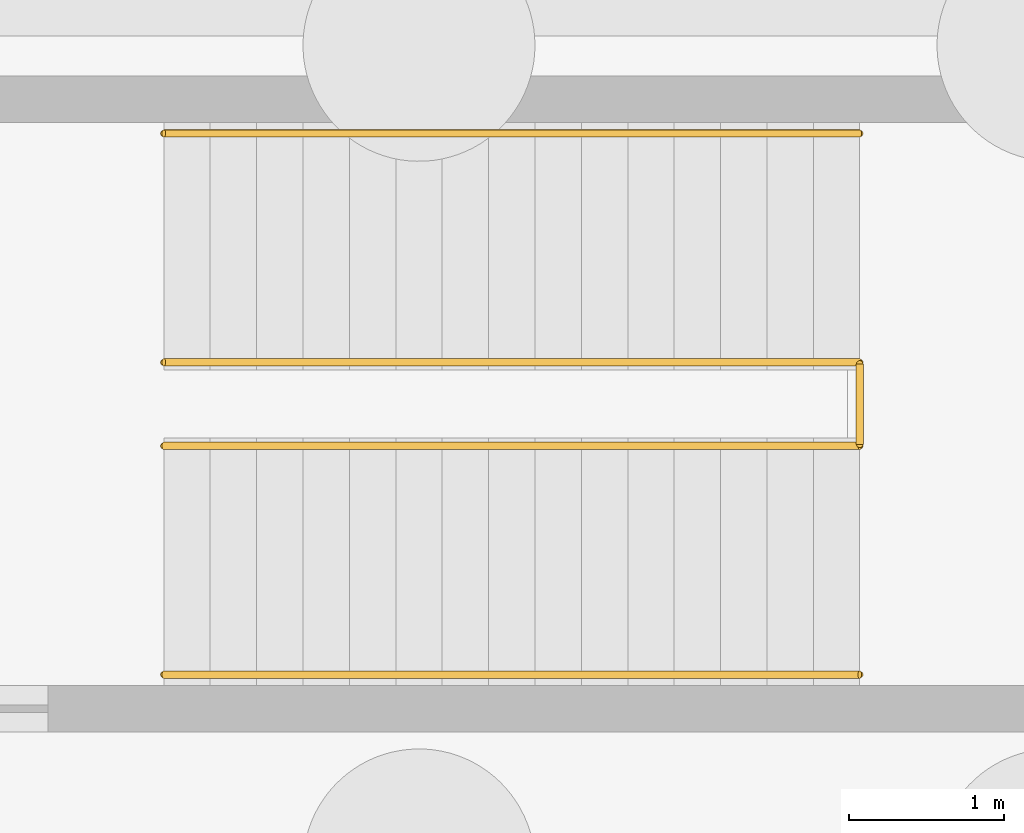
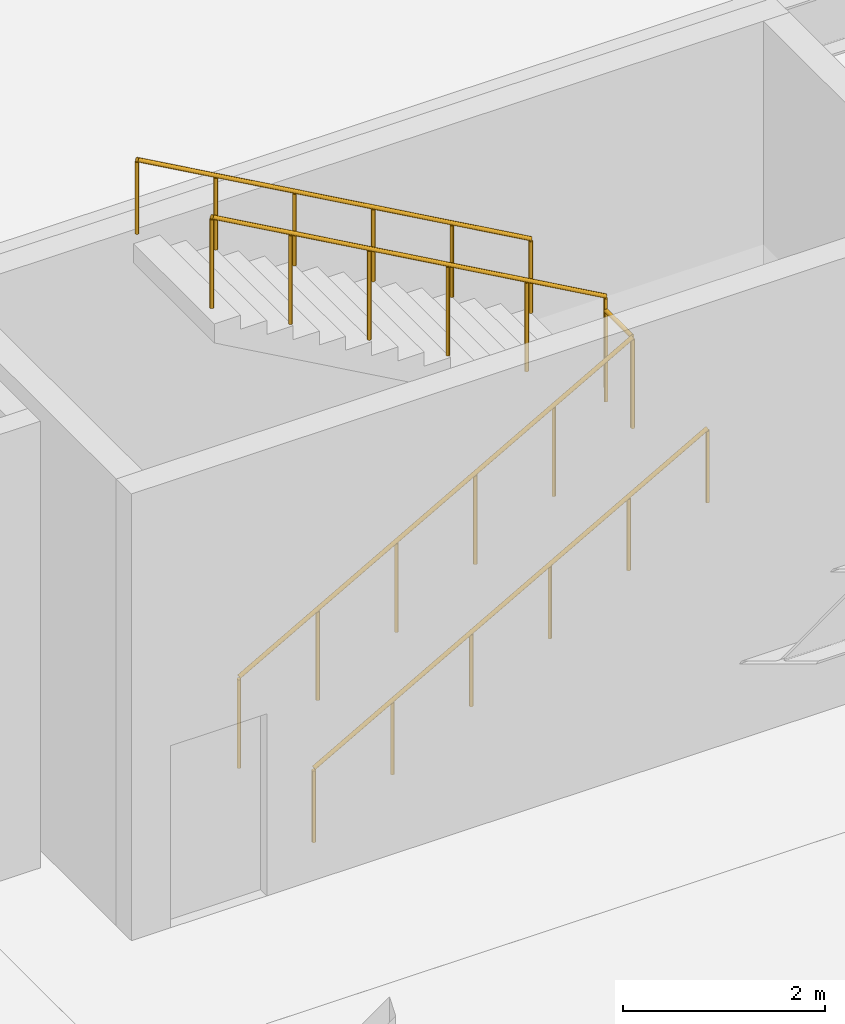
# One storey, part 44 of 47: 5 railings.
"""IFC4 building model written with IfcOpenShell, lengths in metres."""

from ifc_helpers import new_model, si_unit, direction, frame, origin, origin_2d, place, context, subcontext, project, spatial, circle, extrude, material, type_object, element, save


model = new_model("IFC4")

# Units and contexts
model_context = context("Model", 3, precision=1e-05, world=origin(), true_north=direction((0.0, 1.0)))
body_context = subcontext(model_context, "Body", "Model", "MODEL_VIEW")
ifc_project = project(units=[si_unit("LENGTHUNIT", "METRE"), si_unit("AREAUNIT", "SQUARE_METRE"), si_unit("VOLUMEUNIT", "CUBIC_METRE"), si_unit("PLANEANGLEUNIT", "RADIAN"), si_unit("MASSUNIT", "GRAM", prefix="KILO")], contexts=[model_context])

# Site, building, storey
site_placement = place(None, origin())
site = spatial("IfcSite", under=ifc_project, at=site_placement, CompositionType="ELEMENT")
building_placement = place(site_placement, origin())
building = spatial("IfcBuilding", under=site, at=building_placement, Name="Kaldorvane Square Convention Centre", CompositionType="ELEMENT")
storey_placement = place(building_placement, frame((0.0, 0.0, -5.399993896484375)))
storey = spatial("IfcBuildingStorey", under=building, at=storey_placement, Name="B01", CompositionType="ELEMENT", Elevation=-5.399993896484375)

# Railings
ifc_material = material(Name="Architectural Painted Steel", Category="steel")
railing_type_1 = type_object("IfcRailingType", Name="RL-GUARD-1120", PredefinedType="BALUSTRADE", material=ifc_material)
railing_1_placement = place(storey_placement, frame((72.39999389648438, 102.16999816894531, 2.6999969482421875)))
element("IfcRailing", 1, at=railing_1_placement, inside=storey, type_object=railing_type_1, Name="Tower Exit Stair T2 Half-Landing Guard (B01)", PredefinedType="BALUSTRADE", context=body_context, shape_type="SweptSolid", body=[
    extrude(circle(Radius=0.0240020751953125, at=origin_2d()), frame((0.0, 0.0, 1.0959930419921875), z_axis=(0.0, 1.0, 0.0), x_axis=(-1.0, 0.0, 0.0)), (0.0, 0.0, 1.0), 0.5200042724609375),
    extrude(circle(Radius=0.02099609375, at=origin_2d()), origin(), (0.0, 0.0, 1.0), 1.071990966796875),
    extrude(circle(Radius=0.02099609375, at=origin_2d()), frame((0.0, 0.5200042724609375, 0.0)), (0.0, 0.0, 1.0), 1.071990966796875),
])
railing_2_placement = place(storey_placement, frame((67.89999389648438, 102.16000366210938, 0.1687469482421875)))
element("IfcRailing", 2, at=railing_2_placement, inside=storey, type_object=railing_type_1, Name="Tower Exit Stair T2 Flight 1 Guard (B01)", PredefinedType="BALUSTRADE", context=body_context, shape_type="SweptSolid", body=[
    extrude(circle(Radius=0.0240020751953125, at=origin_2d()), frame((0.0, 0.0, 1.0959930419921875), z_axis=(0.871575537125, 0.0, 0.490261239633), x_axis=(0.0, 1.0, 0.0)), (0.0, 0.0, 1.0), 5.1630706787109375),
    extrude(circle(Radius=0.02099609375, at=origin_2d()), origin(), (0.0, 0.0, 1.0), 1.071990966796875),
    extrude(circle(Radius=0.02099609375, at=origin_2d()), frame((0.899993896484375, 0.0, 0.506256103515625)), (0.0, 0.0, 1.0), 1.071990966796875),
    extrude(circle(Radius=0.02099609375, at=origin_2d()), frame((1.8000030517578125, 0.0, 1.0124969482421875)), (0.0, 0.0, 1.0), 1.071990966796875),
    extrude(circle(Radius=0.02099609375, at=origin_2d()), frame((2.6999969482421875, 0.0, 1.5187530517578125)), (0.0, 0.0, 1.0), 1.071990966796875),
    extrude(circle(Radius=0.02099609375, at=origin_2d()), frame((3.600006103515625, 0.0, 2.024993896484375)), (0.0, 0.0, 1.0), 1.071990966796875),
    extrude(circle(Radius=0.02099609375, at=origin_2d()), frame((4.5, 0.0, 2.53125)), (0.0, 0.0, 1.0), 1.071990966796875),
])
railing_3_placement = place(storey_placement, frame((72.39999389648438, 102.69999694824219, 2.868743896484375)))
element("IfcRailing", 3, at=railing_3_placement, inside=storey, type_object=railing_type_1, Name="Tower Exit Stair T2 Flight 2 Guard (B01)", PredefinedType="BALUSTRADE", context=body_context, shape_type="SweptSolid", body=[
    extrude(circle(Radius=0.0240020751953125, at=origin_2d()), frame((0.0, 0.0, 1.0959930419921875), z_axis=(-0.871575537125, 0.0, 0.490261239633), x_axis=(0.0, -1.0, 0.0)), (0.0, 0.0, 1.0), 5.1630706787109375),
    extrude(circle(Radius=0.02099609375, at=origin_2d()), origin(), (0.0, 0.0, 1.0), 1.071990966796875),
    extrude(circle(Radius=0.02099609375, at=origin_2d()), frame((-0.899993896484375, 0.0, 0.506256103515625)), (0.0, 0.0, 1.0), 1.071990966796875),
    extrude(circle(Radius=0.02099609375, at=origin_2d()), frame((-1.8000030517578125, 0.0, 1.0124969482421875)), (0.0, 0.0, 1.0), 1.071990966796875),
    extrude(circle(Radius=0.02099609375, at=origin_2d()), frame((-2.6999969482421875, 0.0, 1.5187530517578125)), (0.0, 0.0, 1.0), 1.071990966796875),
    extrude(circle(Radius=0.02099609375, at=origin_2d()), frame((-3.600006103515625, 0.0, 2.024993896484375)), (0.0, 0.0, 1.0), 1.071990966796875),
    extrude(circle(Radius=0.02099609375, at=origin_2d()), frame((-4.5, 0.0, 2.53125)), (0.0, 0.0, 1.0), 1.071990966796875),
])
railing_type_2 = type_object("IfcRailingType", Name="RL-HAND-915", PredefinedType="HANDRAIL", material=ifc_material)
railing_4_placement = place(storey_placement, frame((67.89999389648438, 100.67999267578125, 0.1687469482421875)))
element("IfcRailing", 4, at=railing_4_placement, inside=storey, type_object=railing_type_2, Name="Tower Exit Stair T2 Wall Handrail 1 (B01)", PredefinedType="HANDRAIL", context=body_context, shape_type="SweptSolid", body=[
    extrude(circle(Radius=0.0240020751953125, at=origin_2d()), frame((0.0, 0.0, 0.8909912109375), z_axis=(0.871575537125, 0.0, 0.490261239633), x_axis=(0.0, 1.0, 0.0)), (0.0, 0.0, 1.0), 5.1630706787109375),
    extrude(circle(Radius=0.02099609375, at=origin_2d()), origin(), (0.0, 0.0, 1.0), 0.8669891357421875),
    extrude(circle(Radius=0.02099609375, at=origin_2d()), frame((0.899993896484375, 0.0, 0.506256103515625)), (0.0, 0.0, 1.0), 0.8669891357421875),
    extrude(circle(Radius=0.02099609375, at=origin_2d()), frame((1.8000030517578125, 0.0, 1.0124969482421875)), (0.0, 0.0, 1.0), 0.8669891357421875),
    extrude(circle(Radius=0.02099609375, at=origin_2d()), frame((2.6999969482421875, 0.0, 1.5187530517578125)), (0.0, 0.0, 1.0), 0.8669891357421875),
    extrude(circle(Radius=0.02099609375, at=origin_2d()), frame((3.600006103515625, 0.0, 2.024993896484375)), (0.0, 0.0, 1.0), 0.8669891357421875),
    extrude(circle(Radius=0.02099609375, at=origin_2d()), frame((4.5, 0.0, 2.53125)), (0.0, 0.0, 1.0), 0.8669891357421875),
])
railing_5_placement = place(storey_placement, frame((72.39999389648438, 104.17999267578125, 2.868743896484375)))
element("IfcRailing", 5, at=railing_5_placement, inside=storey, type_object=railing_type_2, Name="Tower Exit Stair T2 Wall Handrail 2 (B01)", PredefinedType="HANDRAIL", context=body_context, shape_type="SweptSolid", body=[
    extrude(circle(Radius=0.0240020751953125, at=origin_2d()), frame((0.0, 0.0, 0.8909912109375), z_axis=(-0.871575537125, 0.0, 0.490261239633), x_axis=(0.0, -1.0, 0.0)), (0.0, 0.0, 1.0), 5.1630706787109375),
    extrude(circle(Radius=0.02099609375, at=origin_2d()), origin(), (0.0, 0.0, 1.0), 0.8669891357421875),
    extrude(circle(Radius=0.02099609375, at=origin_2d()), frame((-0.899993896484375, 0.0, 0.506256103515625)), (0.0, 0.0, 1.0), 0.8669891357421875),
    extrude(circle(Radius=0.02099609375, at=origin_2d()), frame((-1.8000030517578125, 0.0, 1.0124969482421875)), (0.0, 0.0, 1.0), 0.8669891357421875),
    extrude(circle(Radius=0.02099609375, at=origin_2d()), frame((-2.6999969482421875, 0.0, 1.5187530517578125)), (0.0, 0.0, 1.0), 0.8669891357421875),
    extrude(circle(Radius=0.02099609375, at=origin_2d()), frame((-3.600006103515625, 0.0, 2.024993896484375)), (0.0, 0.0, 1.0), 0.8669891357421875),
    extrude(circle(Radius=0.02099609375, at=origin_2d()), frame((-4.5, 0.0, 2.53125)), (0.0, 0.0, 1.0), 0.8669891357421875),
])

save(model, "model.ifc")
